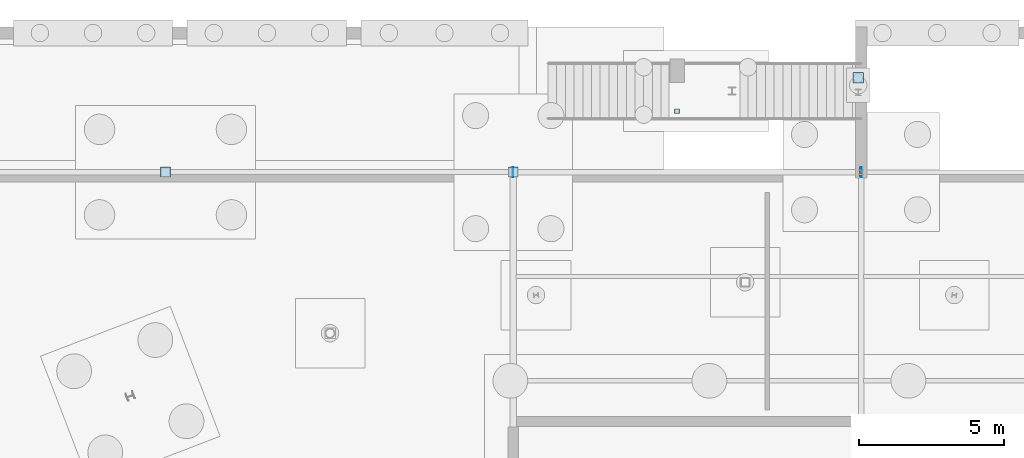
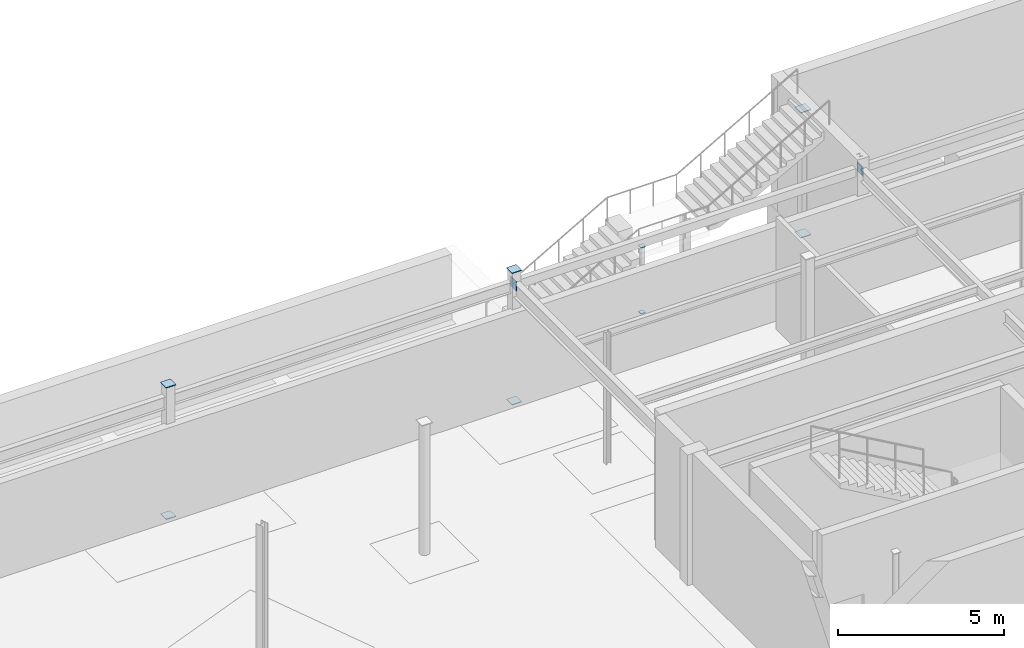
# One storey, part 114 of 136: 11 plates.
"""IFC4 building model written with IfcOpenShell, lengths in metres."""

import ifcopenshell
import ifcopenshell.guid

model = None  # the IFC model being written
_history = None  # IfcOwnerHistory: only IFC2X3 demands one
_inside = {}  # id of a spatial element -> (the spatial element, [elements in it])
_under = {}  # id of a project, library or spatial element -> (it, [spatial elements below it])
_declared = {}  # id of a project -> (the project, [libraries it declares])
_typed = {}  # id of a type object -> (the type object, [elements of that type])
_made_of = {}  # id of a material, layer set ... -> (it, [elements and type objects made of it])


def new_model(schema):
    """Start an empty IFC model of exactly this schema.

    Asked for "IFC4X3", IfcOpenShell would pick the latest addendum, in which some entities
    have other attributes; the version numbers below select the first issue.
    IFC2X3 requires an IfcOwnerHistory on every rooted entity: one is made here for all.
    """
    global model, _history
    if schema == "IFC4X3":
        model = ifcopenshell.file(schema_version=(4, 3, 0, 0))
    else:
        model = ifcopenshell.file(schema=schema)
    _inside.clear()
    _under.clear()
    _declared.clear()
    _typed.clear()
    _made_of.clear()
    _history = None
    if model.schema == "IFC2X3":
        org = make("IfcOrganization", Name="unknown")
        user = make(
            "IfcPersonAndOrganization",
            ThePerson=make("IfcPerson", FamilyName="unknown"),
            TheOrganization=org,
        )
        app = make(
            "IfcApplication",
            ApplicationDeveloper=org,
            Version="unknown",
            ApplicationFullName="unknown",
            ApplicationIdentifier="unknown",
        )
        _history = make(
            "IfcOwnerHistory",
            OwningUser=user,
            OwningApplication=app,
            ChangeAction="ADDED",
            CreationDate=0,
        )
    return model


def make(cls, **values):
    """One entity of the class cls with the attributes given. An attribute that is None is left unset."""
    return model.create_entity(
        cls, **{name: value for name, value in values.items() if value is not None}
    )


def rooted(cls, **values):
    """An entity with a GlobalId (a new one), such as an element, a storey or a relation."""
    return make(cls, GlobalId=ifcopenshell.guid.new(), OwnerHistory=_history, **values)


def si_unit(unit_type, name, prefix=None):
    """IfcSIUnit, for example si_unit("LENGTHUNIT", "METRE", prefix="MILLI")."""
    return make("IfcSIUnit", UnitType=unit_type, Prefix=prefix, Name=name)


def assignment(units):
    """IfcUnitAssignment: the units of a project."""
    return None if units is None else make("IfcUnitAssignment", Units=units)


def point(xyz):
    """IfcCartesianPoint."""
    return None if xyz is None else make("IfcCartesianPoint", Coordinates=xyz)


def direction(xyz):
    """IfcDirection."""
    return None if xyz is None else make("IfcDirection", DirectionRatios=xyz)


def frame(location, z_axis=None, x_axis=None):
    """IfcAxis2Placement3D, a coordinate frame: its origin and axes. An axis left out is left unset."""
    return make(
        "IfcAxis2Placement3D",
        Location=point(location),
        Axis=direction(z_axis),
        RefDirection=direction(x_axis),
    )


def frame_2d(location, x_axis=None):
    """IfcAxis2Placement2D, a coordinate frame in the plane: its origin and x axis."""
    return make(
        "IfcAxis2Placement2D", Location=point(location), RefDirection=direction(x_axis)
    )


def origin():
    """The frame at (0, 0, 0) with its axes left unset."""
    return frame((0.0, 0.0, 0.0))


def origin_2d():
    """The frame at (0, 0) in the plane with its x axis left unset."""
    return frame_2d((0.0, 0.0))


def place(relative_to, where):
    """IfcLocalPlacement: puts the frame where relative to a parent placement (None: the world)."""
    return make(
        "IfcLocalPlacement", PlacementRelTo=relative_to, RelativePlacement=where
    )


def context(
    kind, dimensions, precision=None, world=None, true_north=None, identifier=None
):
    """IfcGeometricRepresentationContext, for example the 3D "Model" context."""
    return make(
        "IfcGeometricRepresentationContext",
        ContextIdentifier=identifier,
        ContextType=kind,
        CoordinateSpaceDimension=dimensions,
        Precision=precision,
        WorldCoordinateSystem=world,
        TrueNorth=true_north,
    )


def subcontext(parent, identifier, kind, view, scale=None):
    """IfcGeometricRepresentationSubContext, for example "Body" below "Model"."""
    return make(
        "IfcGeometricRepresentationSubContext",
        ContextIdentifier=identifier,
        ContextType=kind,
        ParentContext=parent,
        TargetScale=scale,
        TargetView=view,
    )


def project(units=None, contexts=None):
    """IfcProject with its units and contexts."""
    return rooted(
        "IfcProject",
        Name="project",
        RepresentationContexts=contexts,
        UnitsInContext=assignment(units),
    )


def spatial(cls, under=None, at=None, **own):
    """A site, building, storey or space (cls), placed at a placement, below another one or the project."""
    s = rooted(cls, ObjectPlacement=at, **own)
    if under is not None:
        _under.setdefault(under.id(), (under, []))[1].append(s)
    return s


def profile(cls, at=None, kind="AREA", **sizes):
    """A parametric profile (cls). Its sizes go by their IFC names, for example OverallWidth=200.0."""
    return make(cls, ProfileType=kind, Position=at, **sizes)


def rectangle(**sizes):
    """IfcRectangleProfileDef."""
    return profile("IfcRectangleProfileDef", **sizes)


def extrude(swept, where, along, depth):
    """IfcExtrudedAreaSolid: the profile swept, set in the frame where, extruded along a direction by depth."""
    return make(
        "IfcExtrudedAreaSolid",
        SweptArea=swept,
        Position=where,
        ExtrudedDirection=direction(along),
        Depth=depth,
    )


def shape(context_of_items, identifier, shape_type, items):
    """IfcShapeRepresentation: the items that make up one representation, for example the "Body"."""
    return make(
        "IfcShapeRepresentation",
        ContextOfItems=context_of_items,
        RepresentationIdentifier=identifier,
        RepresentationType=shape_type,
        Items=items,
    )


def material(Name=None, Category=None):
    """IfcMaterial."""
    return make("IfcMaterial", Name=Name, Category=Category)


def layer(
    of_material, thickness, ventilated=None, Name=None, Category=None, Priority=None
):
    """IfcMaterialLayer: one layer of a wall or slab, of a material (None: an air gap)."""
    return make(
        "IfcMaterialLayer",
        Material=of_material,
        LayerThickness=thickness,
        IsVentilated=ventilated,
        Name=Name,
        Category=Category,
        Priority=Priority,
    )


def layer_set(layers, Name=None):
    """IfcMaterialLayerSet."""
    return make("IfcMaterialLayerSet", MaterialLayers=layers, LayerSetName=Name)


def made_of(thing, what):
    """Note that an element or type object is made of a material, layer set ...; save() writes the relation."""
    if what is not None:
        _made_of.setdefault(what.id(), (what, []))[1].append(thing)
    return thing


def type_object(cls, material=None, **own):
    """A type object (cls), such as IfcWallType, which elements share."""
    return made_of(rooted(cls, **own), material)


def element(
    cls,
    number,
    at=None,
    inside=None,
    cuts=None,
    type_object=None,
    material=None,
    context=None,
    identifier="Body",
    shape_type=None,
    held_by="IfcProductDefinitionShape",
    body=None,
    shapes=None,
    **own,
):
    """One element of the class cls, such as IfcWall. Its Tag is "e" and its number.

    at: its placement. inside: the storey or other place that contains it. cuts: it is an
    opening in that element (IfcRelVoidsElement). A single representation is given by context,
    identifier, shape_type and body (its items); several are given by shapes. held_by: the class
    of the entity that holds the representations. save() writes the other relations.
    """
    e = rooted(cls, Tag="e%d" % number, ObjectPlacement=at, **own)
    if body is not None:
        shapes = [shape(context, identifier, shape_type, body)]
    if shapes is not None:
        e.Representation = make(held_by, Representations=shapes)
    if inside is not None:
        _inside.setdefault(inside.id(), (inside, []))[1].append(e)
    if cuts is not None:
        rooted(
            "IfcRelVoidsElement", RelatingBuildingElement=cuts, RelatedOpeningElement=e
        )
    if type_object is not None:
        _typed.setdefault(type_object.id(), (type_object, []))[1].append(e)
    return made_of(e, material)


def aggregate(whole, parts):
    """IfcRelAggregates: a whole, such as a stair, and the parts it consists of."""
    return rooted("IfcRelAggregates", RelatingObject=whole, RelatedObjects=parts)


def save(model, path):
    """Write the relations noted so far, then the file.

    IfcRelAggregates (storeys below a building ...), IfcRelContainedInSpatialStructure (elements
    in a storey), IfcRelDefinesByType, IfcRelAssociatesMaterial and IfcRelDeclares: one each for
    every whole, place, type object, material and project.
    """
    for whole, parts in _under.values():
        aggregate(whole, parts)
    for where, things in _inside.values():
        rooted(
            "IfcRelContainedInSpatialStructure",
            RelatedElements=things,
            RelatingStructure=where,
        )
    for kind, things in _typed.values():
        rooted("IfcRelDefinesByType", RelatedObjects=things, RelatingType=kind)
    for what, things in _made_of.values():
        rooted("IfcRelAssociatesMaterial", RelatedObjects=things, RelatingMaterial=what)
    for by, libraries in _declared.values():
        rooted("IfcRelDeclares", RelatingContext=by, RelatedDefinitions=libraries)
    model.write(path)


model = new_model("IFC4")

# Units and contexts
model_context = context("Model", 3, precision=1e-05, world=origin(), true_north=direction((0.0, 1.0)))
body_context = subcontext(model_context, "Body", "Model", "MODEL_VIEW")
ifc_project = project(units=[si_unit("LENGTHUNIT", "METRE"), si_unit("AREAUNIT", "SQUARE_METRE"), si_unit("VOLUMEUNIT", "CUBIC_METRE"), si_unit("PLANEANGLEUNIT", "RADIAN"), si_unit("MASSUNIT", "GRAM", prefix="KILO")], contexts=[model_context])

# Site, building, storey
site_placement = place(None, origin())
site = spatial("IfcSite", under=ifc_project, at=site_placement, CompositionType="ELEMENT")
building_placement = place(site_placement, origin())
building = spatial("IfcBuilding", under=site, at=building_placement, Name="Tarnwether General Hospital", CompositionType="ELEMENT")
storey_placement = place(building_placement, frame((0.0, 0.0, -4.800048828125)))
storey = spatial("IfcBuildingStorey", under=building, at=storey_placement, Name="LG", CompositionType="ELEMENT", Elevation=-4.800048828125)

# Plates
ifc_material = material(Name="Steel Grade 350 (350 MPa)", Category="steel")
ifc_layer = layer(ifc_material, 0.02490234375)
ifc_layer_set = layer_set([ifc_layer], Name="Steel Grade 350 (350 MPa)")
plate_type = type_object("IfcPlateType", Name="PT-GUS2", PredefinedType="USERDEFINED", material=ifc_layer_set)
for number, where, z_axis, x_axis, name in (
    (1, (72.0, 126.0, -0.02490234375), (0.0, 0.0, 1.0), (1.0, 0.0, 0.0), "Hollow Section Welded End Cap Plate 0141"),
    (2, (72.0, 126.0, 4.800048828125), (0.0, 0.0, 1.0), (1.0, 0.0, 0.0), "Hollow Section Welded End Cap Plate 0142"),
    (3, (84.0, 126.0, -0.02490234375), (0.0, 0.0, 1.0), (1.0, 0.0, 0.0), "Hollow Section Welded End Cap Plate 0161"),
    (4, (84.0, 126.0, 4.800048828125), (0.0, 0.0, 1.0), (1.0, 0.0, 0.0), "Hollow Section Welded End Cap Plate 0162"),
):
    element("IfcPlate", number, at=place(storey_placement, frame(where, z_axis=z_axis, x_axis=x_axis)), inside=storey, type_object=plate_type, Name=name, ObjectType="GUSSET", PredefinedType="USERDEFINED", context=body_context, shape_type="SweptSolid", body=[
        extrude(rectangle(XDim=0.340087890625, YDim=0.340087890625, at=origin_2d()), origin(), (0.0, 0.0, 1.0), 0.02490234375),
    ])
for number, where, z_axis, x_axis, name in (
    (5, (89.64990234375, 128.10009765625, -0.02490234375), (0.0, 0.0, 1.0), (1.0, 0.0, 0.0), "Hollow Section Welded End Cap Plate 0801"),
    (6, (89.64990234375, 128.10009765625, 2.400146484375), (0.0, 0.0, 1.0), (1.0, 0.0, 0.0), "Hollow Section Welded End Cap Plate 0802"),
):
    element("IfcPlate", number, at=place(storey_placement, frame(where, z_axis=z_axis, x_axis=x_axis)), inside=storey, type_object=plate_type, Name=name, ObjectType="GUSSET", PredefinedType="USERDEFINED", context=body_context, shape_type="SweptSolid", body=[
        extrude(rectangle(XDim=0.1650390625, YDim=0.1650390625, at=origin_2d()), origin(), (0.0, 0.0, 1.0), 0.02490234375),
    ])
for number, where, z_axis, x_axis, name in (
    (7, (95.89990234375, 129.25, -0.02490234375), (0.0, 0.0, 1.0), (1.0, 0.0, 0.0), "Hollow Section Welded End Cap Plate 0803"),
    (8, (95.89990234375, 129.25, 4.56005859375), (0.0, 0.0, 1.0), (1.0, 0.0, 0.0), "Hollow Section Welded End Cap Plate 0804"),
):
    element("IfcPlate", number, at=place(storey_placement, frame(where, z_axis=z_axis, x_axis=x_axis)), inside=storey, type_object=plate_type, Name=name, ObjectType="GUSSET", PredefinedType="USERDEFINED", context=body_context, shape_type="SweptSolid", body=[
        extrude(rectangle(XDim=0.364013671875, YDim=0.364013671875, at=origin_2d()), origin(), (0.0, 0.0, 1.0), 0.02490234375),
    ])
for number, where, z_axis, x_axis, name in (
    (9, (83.987548828125, 126.0, 4.10986328125), (0.0, 0.0, 1.0), (1.0, 0.0, 0.0), "Hollow Section Welded End Cap Plate 0829"),
    (10, (96.012451171875, 126.0, 4.10986328125), (0.0, 0.0, 1.0), (1.0, 0.0, 0.0), "Hollow Section Welded End Cap Plate 0830"),
):
    element("IfcPlate", number, at=place(storey_placement, frame(where, z_axis=z_axis, x_axis=x_axis)), inside=storey, type_object=plate_type, Name=name, ObjectType="GUSSET", PredefinedType="USERDEFINED", context=body_context, shape_type="SweptSolid", body=[
        extrude(rectangle(XDim=0.02490234375, YDim=0.340087890625, at=origin_2d()), origin(), (0.0, 0.0, 1.0), 0.340087890625),
    ])
plate_placement = place(storey_placement, frame((95.987548828125, 126.0, 4.159912109375), z_axis=(0.0, 0.0, 1.0), x_axis=(1.0, 0.0, 0.0)))
element("IfcPlate", 11, at=plate_placement, inside=storey, type_object=plate_type, Name="Hollow Section Welded End Cap Plate 0831", ObjectType="GUSSET", PredefinedType="USERDEFINED", context=body_context, shape_type="SweptSolid", body=[
    extrude(rectangle(XDim=0.02490234375, YDim=0.2900390625, at=origin_2d()), origin(), (0.0, 0.0, 1.0), 0.2900390625),
])

save(model, "model.ifc")
